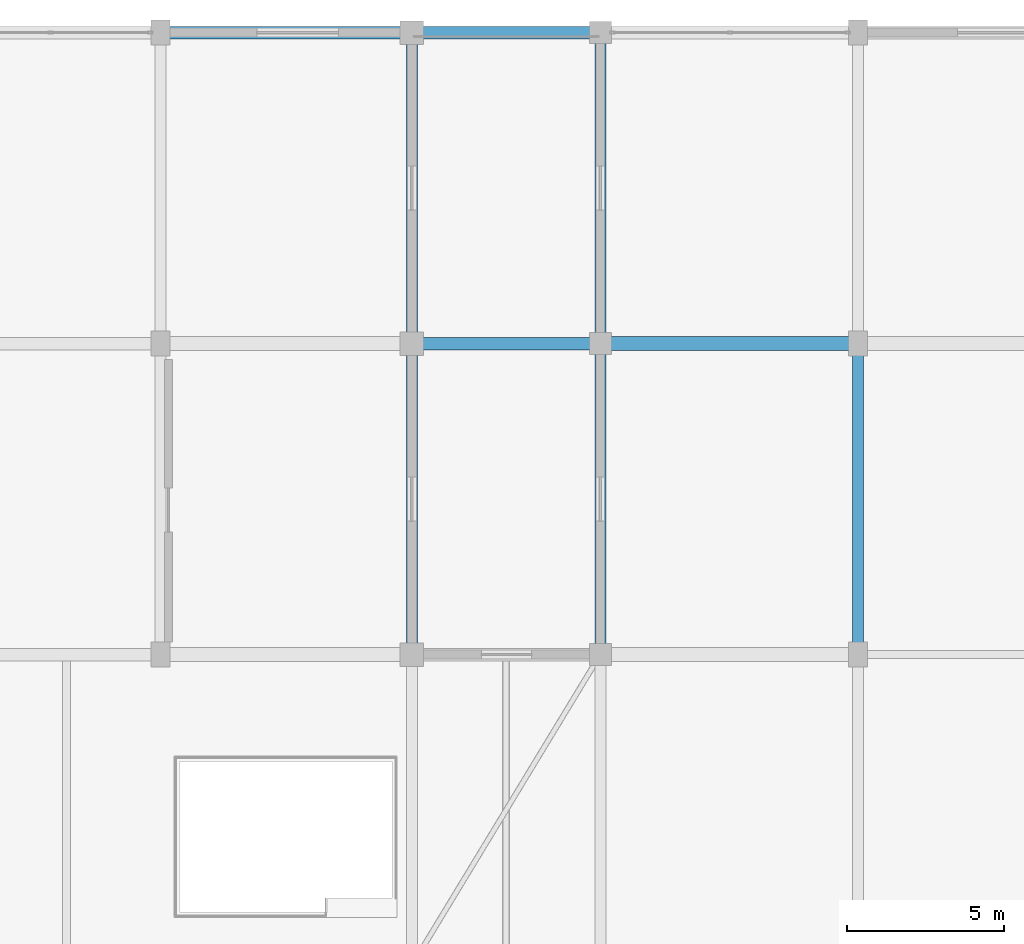
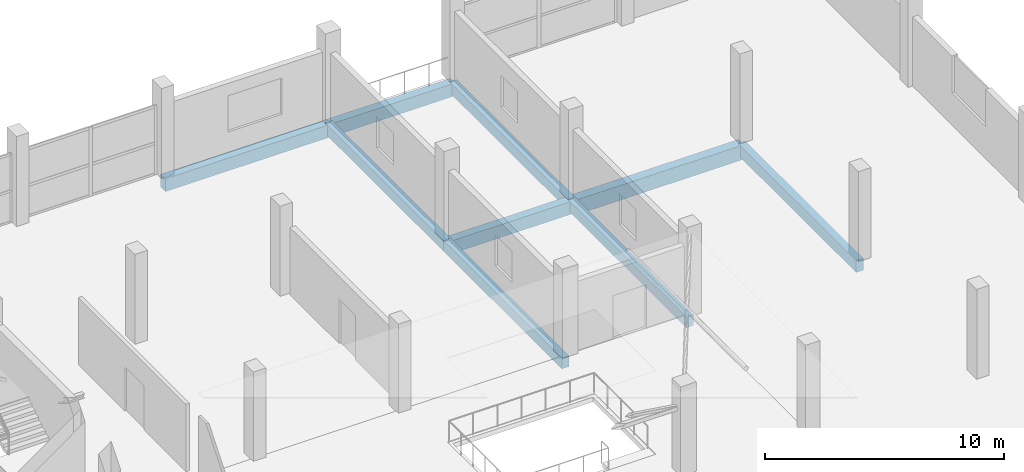
# One storey, part 34 of 55: 9 beams.
"""IFC4 building model written with IfcOpenShell, lengths in metres."""

import ifcopenshell
import ifcopenshell.guid

model = None  # the IFC model being written
_history = None  # IfcOwnerHistory: only IFC2X3 demands one
_inside = {}  # id of a spatial element -> (the spatial element, [elements in it])
_under = {}  # id of a project, library or spatial element -> (it, [spatial elements below it])
_declared = {}  # id of a project -> (the project, [libraries it declares])
_typed = {}  # id of a type object -> (the type object, [elements of that type])
_made_of = {}  # id of a material, layer set ... -> (it, [elements and type objects made of it])


def new_model(schema):
    """Start an empty IFC model of exactly this schema.

    Asked for "IFC4X3", IfcOpenShell would pick the latest addendum, in which some entities
    have other attributes; the version numbers below select the first issue.
    IFC2X3 requires an IfcOwnerHistory on every rooted entity: one is made here for all.
    """
    global model, _history
    if schema == "IFC4X3":
        model = ifcopenshell.file(schema_version=(4, 3, 0, 0))
    else:
        model = ifcopenshell.file(schema=schema)
    _inside.clear()
    _under.clear()
    _declared.clear()
    _typed.clear()
    _made_of.clear()
    _history = None
    if model.schema == "IFC2X3":
        org = make("IfcOrganization", Name="unknown")
        user = make(
            "IfcPersonAndOrganization",
            ThePerson=make("IfcPerson", FamilyName="unknown"),
            TheOrganization=org,
        )
        app = make(
            "IfcApplication",
            ApplicationDeveloper=org,
            Version="unknown",
            ApplicationFullName="unknown",
            ApplicationIdentifier="unknown",
        )
        _history = make(
            "IfcOwnerHistory",
            OwningUser=user,
            OwningApplication=app,
            ChangeAction="ADDED",
            CreationDate=0,
        )
    return model


def make(cls, **values):
    """One entity of the class cls with the attributes given. An attribute that is None is left unset."""
    return model.create_entity(
        cls, **{name: value for name, value in values.items() if value is not None}
    )


def rooted(cls, **values):
    """An entity with a GlobalId (a new one), such as an element, a storey or a relation."""
    return make(cls, GlobalId=ifcopenshell.guid.new(), OwnerHistory=_history, **values)


def si_unit(unit_type, name, prefix=None):
    """IfcSIUnit, for example si_unit("LENGTHUNIT", "METRE", prefix="MILLI")."""
    return make("IfcSIUnit", UnitType=unit_type, Prefix=prefix, Name=name)


def assignment(units):
    """IfcUnitAssignment: the units of a project."""
    return None if units is None else make("IfcUnitAssignment", Units=units)


def point(xyz):
    """IfcCartesianPoint."""
    return None if xyz is None else make("IfcCartesianPoint", Coordinates=xyz)


def direction(xyz):
    """IfcDirection."""
    return None if xyz is None else make("IfcDirection", DirectionRatios=xyz)


def frame(location, z_axis=None, x_axis=None):
    """IfcAxis2Placement3D, a coordinate frame: its origin and axes. An axis left out is left unset."""
    return make(
        "IfcAxis2Placement3D",
        Location=point(location),
        Axis=direction(z_axis),
        RefDirection=direction(x_axis),
    )


def frame_2d(location, x_axis=None):
    """IfcAxis2Placement2D, a coordinate frame in the plane: its origin and x axis."""
    return make(
        "IfcAxis2Placement2D", Location=point(location), RefDirection=direction(x_axis)
    )


def origin():
    """The frame at (0, 0, 0) with its axes left unset."""
    return frame((0.0, 0.0, 0.0))


def origin_2d():
    """The frame at (0, 0) in the plane with its x axis left unset."""
    return frame_2d((0.0, 0.0))


def place(relative_to, where):
    """IfcLocalPlacement: puts the frame where relative to a parent placement (None: the world)."""
    return make(
        "IfcLocalPlacement", PlacementRelTo=relative_to, RelativePlacement=where
    )


def context(
    kind, dimensions, precision=None, world=None, true_north=None, identifier=None
):
    """IfcGeometricRepresentationContext, for example the 3D "Model" context."""
    return make(
        "IfcGeometricRepresentationContext",
        ContextIdentifier=identifier,
        ContextType=kind,
        CoordinateSpaceDimension=dimensions,
        Precision=precision,
        WorldCoordinateSystem=world,
        TrueNorth=true_north,
    )


def subcontext(parent, identifier, kind, view, scale=None):
    """IfcGeometricRepresentationSubContext, for example "Body" below "Model"."""
    return make(
        "IfcGeometricRepresentationSubContext",
        ContextIdentifier=identifier,
        ContextType=kind,
        ParentContext=parent,
        TargetScale=scale,
        TargetView=view,
    )


def project(units=None, contexts=None):
    """IfcProject with its units and contexts."""
    return rooted(
        "IfcProject",
        Name="project",
        RepresentationContexts=contexts,
        UnitsInContext=assignment(units),
    )


def spatial(cls, under=None, at=None, **own):
    """A site, building, storey or space (cls), placed at a placement, below another one or the project."""
    s = rooted(cls, ObjectPlacement=at, **own)
    if under is not None:
        _under.setdefault(under.id(), (under, []))[1].append(s)
    return s


def profile(cls, at=None, kind="AREA", **sizes):
    """A parametric profile (cls). Its sizes go by their IFC names, for example OverallWidth=200.0."""
    return make(cls, ProfileType=kind, Position=at, **sizes)


def rectangle(**sizes):
    """IfcRectangleProfileDef."""
    return profile("IfcRectangleProfileDef", **sizes)


def extrude(swept, where, along, depth):
    """IfcExtrudedAreaSolid: the profile swept, set in the frame where, extruded along a direction by depth."""
    return make(
        "IfcExtrudedAreaSolid",
        SweptArea=swept,
        Position=where,
        ExtrudedDirection=direction(along),
        Depth=depth,
    )


def shape(context_of_items, identifier, shape_type, items):
    """IfcShapeRepresentation: the items that make up one representation, for example the "Body"."""
    return make(
        "IfcShapeRepresentation",
        ContextOfItems=context_of_items,
        RepresentationIdentifier=identifier,
        RepresentationType=shape_type,
        Items=items,
    )


def material(Name=None, Category=None):
    """IfcMaterial."""
    return make("IfcMaterial", Name=Name, Category=Category)


def material_profile(
    of_material, cross_section, Name=None, Category=None, Priority=None
):
    """IfcMaterialProfile: a cross section and its material."""
    return make(
        "IfcMaterialProfile",
        Name=Name,
        Material=of_material,
        Profile=cross_section,
        Priority=Priority,
        Category=Category,
    )


def profile_set(profiles, Name=None, composite=None):
    """IfcMaterialProfileSet."""
    return make(
        "IfcMaterialProfileSet",
        Name=Name,
        MaterialProfiles=profiles,
        CompositeProfile=composite,
    )


def made_of(thing, what):
    """Note that an element or type object is made of a material, layer set ...; save() writes the relation."""
    if what is not None:
        _made_of.setdefault(what.id(), (what, []))[1].append(thing)
    return thing


def type_object(cls, material=None, **own):
    """A type object (cls), such as IfcWallType, which elements share."""
    return made_of(rooted(cls, **own), material)


def element(
    cls,
    number,
    at=None,
    inside=None,
    cuts=None,
    type_object=None,
    material=None,
    context=None,
    identifier="Body",
    shape_type=None,
    held_by="IfcProductDefinitionShape",
    body=None,
    shapes=None,
    **own,
):
    """One element of the class cls, such as IfcWall. Its Tag is "e" and its number.

    at: its placement. inside: the storey or other place that contains it. cuts: it is an
    opening in that element (IfcRelVoidsElement). A single representation is given by context,
    identifier, shape_type and body (its items); several are given by shapes. held_by: the class
    of the entity that holds the representations. save() writes the other relations.
    """
    e = rooted(cls, Tag="e%d" % number, ObjectPlacement=at, **own)
    if body is not None:
        shapes = [shape(context, identifier, shape_type, body)]
    if shapes is not None:
        e.Representation = make(held_by, Representations=shapes)
    if inside is not None:
        _inside.setdefault(inside.id(), (inside, []))[1].append(e)
    if cuts is not None:
        rooted(
            "IfcRelVoidsElement", RelatingBuildingElement=cuts, RelatedOpeningElement=e
        )
    if type_object is not None:
        _typed.setdefault(type_object.id(), (type_object, []))[1].append(e)
    return made_of(e, material)


def aggregate(whole, parts):
    """IfcRelAggregates: a whole, such as a stair, and the parts it consists of."""
    return rooted("IfcRelAggregates", RelatingObject=whole, RelatedObjects=parts)


def save(model, path):
    """Write the relations noted so far, then the file.

    IfcRelAggregates (storeys below a building ...), IfcRelContainedInSpatialStructure (elements
    in a storey), IfcRelDefinesByType, IfcRelAssociatesMaterial and IfcRelDeclares: one each for
    every whole, place, type object, material and project.
    """
    for whole, parts in _under.values():
        aggregate(whole, parts)
    for where, things in _inside.values():
        rooted(
            "IfcRelContainedInSpatialStructure",
            RelatedElements=things,
            RelatingStructure=where,
        )
    for kind, things in _typed.values():
        rooted("IfcRelDefinesByType", RelatedObjects=things, RelatingType=kind)
    for what, things in _made_of.values():
        rooted("IfcRelAssociatesMaterial", RelatedObjects=things, RelatingMaterial=what)
    for by, libraries in _declared.values():
        rooted("IfcRelDeclares", RelatingContext=by, RelatedDefinitions=libraries)
    model.write(path)


model = new_model("IFC4")

# Units and contexts
model_context = context("Model", 3, precision=1e-05, world=origin(), true_north=direction((0.0, 1.0)))
body_context = subcontext(model_context, "Body", "Model", "MODEL_VIEW")
ifc_project = project(units=[si_unit("LENGTHUNIT", "METRE"), si_unit("AREAUNIT", "SQUARE_METRE"), si_unit("VOLUMEUNIT", "CUBIC_METRE"), si_unit("PLANEANGLEUNIT", "RADIAN"), si_unit("MASSUNIT", "GRAM", prefix="KILO")], contexts=[model_context])

# Site, building, storey
site_placement = place(None, origin())
site = spatial("IfcSite", under=ifc_project, at=site_placement, CompositionType="ELEMENT")
building_placement = place(site_placement, origin())
building = spatial("IfcBuilding", under=site, at=building_placement, Name="Sillaruma Civic Art Gallery", CompositionType="ELEMENT")
storey_placement = place(building_placement, frame((0.0, 0.0, 37.739990234375)))
storey = spatial("IfcBuildingStorey", under=building, at=storey_placement, Name="L07", CompositionType="ELEMENT", Elevation=37.739990234375)

# Beams
ifc_material_1 = material(Name="Concrete H35 (35 MPa)", Category="concrete")
ifc_material_profile_1 = material_profile(ifc_material_1, rectangle(XDim=0.35009765625, YDim=0.60009765625, at=origin_2d()), Name="RCB350x600")
ifc_profile_set_1 = profile_set([ifc_material_profile_1], Name="Concrete H35 (35 MPa)")
beam_type_1 = type_object("IfcBeamType", Name="BM-BEAM-RCB350x600", PredefinedType="BEAM", material=ifc_profile_set_1)
beam_1_placement = place(storey_placement, frame((106.199951171875, 79.199951171875, -0.5400390625), z_axis=(0.0, 1.0, 0.0), x_axis=(-1.0, 0.0, 0.0)))
element("IfcBeam", 1, at=beam_1_placement, inside=storey, type_object=beam_type_1, Name="Beam BM-06 (L06:M:9-10)", PredefinedType="BEAM", context=body_context, shape_type="SweptSolid", body=[
    extrude(rectangle(XDim=0.35009765625, YDim=0.60009765625, at=origin_2d()), origin(), (0.0, 0.0, 1.0), 9.900146484375),
])
ifc_material_profile_2 = material_profile(ifc_material_1, rectangle(XDim=0.39990234375, YDim=0.64990234375, at=origin_2d()), Name="RCB400x650")
ifc_profile_set_2 = profile_set([ifc_material_profile_2], Name="Concrete H35 (35 MPa)")
beam_type_2 = type_object("IfcBeamType", Name="BM-BEAM-RCB400x650", PredefinedType="BEAM", material=ifc_profile_set_2)
beam_2_placement = place(storey_placement, frame((92.0, 89.10009765625, -0.56494140625), z_axis=(1.0, 0.0, 0.0), x_axis=(0.0, 1.0, 0.0)))
element("IfcBeam", 2, at=beam_2_placement, inside=storey, type_object=beam_type_2, Name="Beam BM-05 (L06:10:K-L)", PredefinedType="BEAM", context=body_context, shape_type="SweptSolid", body=[
    extrude(rectangle(XDim=0.39990234375, YDim=0.64990234375, at=origin_2d()), origin(), (0.0, 0.0, 1.0), 6.0),
])
ifc_material_2 = material(Name="Concrete H40 (40 MPa)", Category="concrete")
ifc_material_profile_3 = material_profile(ifc_material_2, rectangle(XDim=0.449951171875, YDim=0.75, at=origin_2d()), Name="RCB450x750")
ifc_profile_set_3 = profile_set([ifc_material_profile_3], Name="Concrete H40 (40 MPa)")
beam_type_3 = type_object("IfcBeamType", Name="BM-BEAM-RCB450x750", PredefinedType="BEAM", material=ifc_profile_set_3)
beam_3_placement = place(storey_placement, frame((98.0, 89.10009765625, -0.614990234375), z_axis=(1.0, 0.0, 0.0), x_axis=(0.0, 1.0, 0.0)))
element("IfcBeam", 3, at=beam_3_placement, inside=storey, type_object=beam_type_3, Name="Beam BM-03 (L06:10:L-M)", PredefinedType="BEAM", context=body_context, shape_type="SweptSolid", body=[
    extrude(rectangle(XDim=0.449951171875, YDim=0.75, at=origin_2d()), origin(), (0.0, 0.0, 1.0), 8.199951171875),
])
ifc_material_profile_4 = material_profile(ifc_material_1, rectangle(XDim=0.35009765625, YDim=0.550048828125, at=origin_2d()), Name="RCB350x550")
ifc_profile_set_4 = profile_set([ifc_material_profile_4], Name="Concrete H35 (35 MPa)")
beam_type_4 = type_object("IfcBeamType", Name="BM-SPANDREL-RCB350x550", PredefinedType="SPANDREL", material=ifc_profile_set_4)
beam_4_placement = place(storey_placement, frame((92.0, 79.199951171875, -0.514892578125), z_axis=(0.0, 1.0, 0.0), x_axis=(-1.0, 0.0, 0.0)))
element("IfcBeam", 4, at=beam_4_placement, inside=storey, type_object=beam_type_4, Name="Beam BS-04 (L06:K:9-10)", PredefinedType="SPANDREL", context=body_context, shape_type="SweptSolid", body=[
    extrude(rectangle(XDim=0.35009765625, YDim=0.550048828125, at=origin_2d()), origin(), (0.0, 0.0, 1.0), 9.900146484375),
])
beam_5_placement = place(storey_placement, frame((92.0, 89.10009765625, -0.514892578125), z_axis=(0.0, 1.0, 0.0), x_axis=(-1.0, 0.0, 0.0)))
element("IfcBeam", 5, at=beam_5_placement, inside=storey, type_object=beam_type_4, Name="Beam BS-04 (L06:K:10-11)", PredefinedType="SPANDREL", context=body_context, shape_type="SweptSolid", body=[
    extrude(rectangle(XDim=0.35009765625, YDim=0.550048828125, at=origin_2d()), origin(), (0.0, 0.0, 1.0), 9.89990234375),
])
beam_6_placement = place(storey_placement, frame((98.0, 79.199951171875, -0.514892578125), z_axis=(0.0, 1.0, 0.0), x_axis=(-1.0, 0.0, 0.0)))
element("IfcBeam", 6, at=beam_6_placement, inside=storey, type_object=beam_type_4, Name="Beam BS-04 (L06:L:9-10)", PredefinedType="SPANDREL", context=body_context, shape_type="SweptSolid", body=[
    extrude(rectangle(XDim=0.35009765625, YDim=0.550048828125, at=origin_2d()), origin(), (0.0, 0.0, 1.0), 9.900146484375),
])
beam_7_placement = place(storey_placement, frame((98.0, 89.10009765625, -0.514892578125), z_axis=(0.0, 1.0, 0.0), x_axis=(-1.0, 0.0, 0.0)))
element("IfcBeam", 7, at=beam_7_placement, inside=storey, type_object=beam_type_4, Name="Beam BS-04 (L06:L:10-11)", PredefinedType="SPANDREL", context=body_context, shape_type="SweptSolid", body=[
    extrude(rectangle(XDim=0.35009765625, YDim=0.550048828125, at=origin_2d()), origin(), (0.0, 0.0, 1.0), 9.89990234375),
])
ifc_material_profile_5 = material_profile(ifc_material_1, rectangle(XDim=0.39990234375, YDim=0.64990234375, at=origin_2d()), Name="RCB400x650")
ifc_profile_set_5 = profile_set([ifc_material_profile_5], Name="Concrete H35 (35 MPa)")
beam_type_5 = type_object("IfcBeamType", Name="BM-SPANDREL-RCB400x650", PredefinedType="SPANDREL", material=ifc_profile_set_5)
beam_8_placement = place(storey_placement, frame((84.0, 99.0, -0.56494140625), z_axis=(1.0, 0.0, 0.0), x_axis=(0.0, 1.0, 0.0)))
element("IfcBeam", 8, at=beam_8_placement, inside=storey, type_object=beam_type_5, Name="Beam BS-02 (L06:11:J-K)", PredefinedType="SPANDREL", context=body_context, shape_type="SweptSolid", body=[
    extrude(rectangle(XDim=0.39990234375, YDim=0.64990234375, at=origin_2d()), origin(), (0.0, 0.0, 1.0), 8.0),
])
beam_9_placement = place(storey_placement, frame((92.0, 99.0, -0.56494140625), z_axis=(1.0, 0.0, 0.0), x_axis=(0.0, 1.0, 0.0)))
element("IfcBeam", 9, at=beam_9_placement, inside=storey, type_object=beam_type_5, Name="Beam BS-02 (L06:11:K-L)", PredefinedType="SPANDREL", context=body_context, shape_type="SweptSolid", body=[
    extrude(rectangle(XDim=0.39990234375, YDim=0.64990234375, at=origin_2d()), origin(), (0.0, 0.0, 1.0), 6.0),
])

save(model, "model.ifc")
